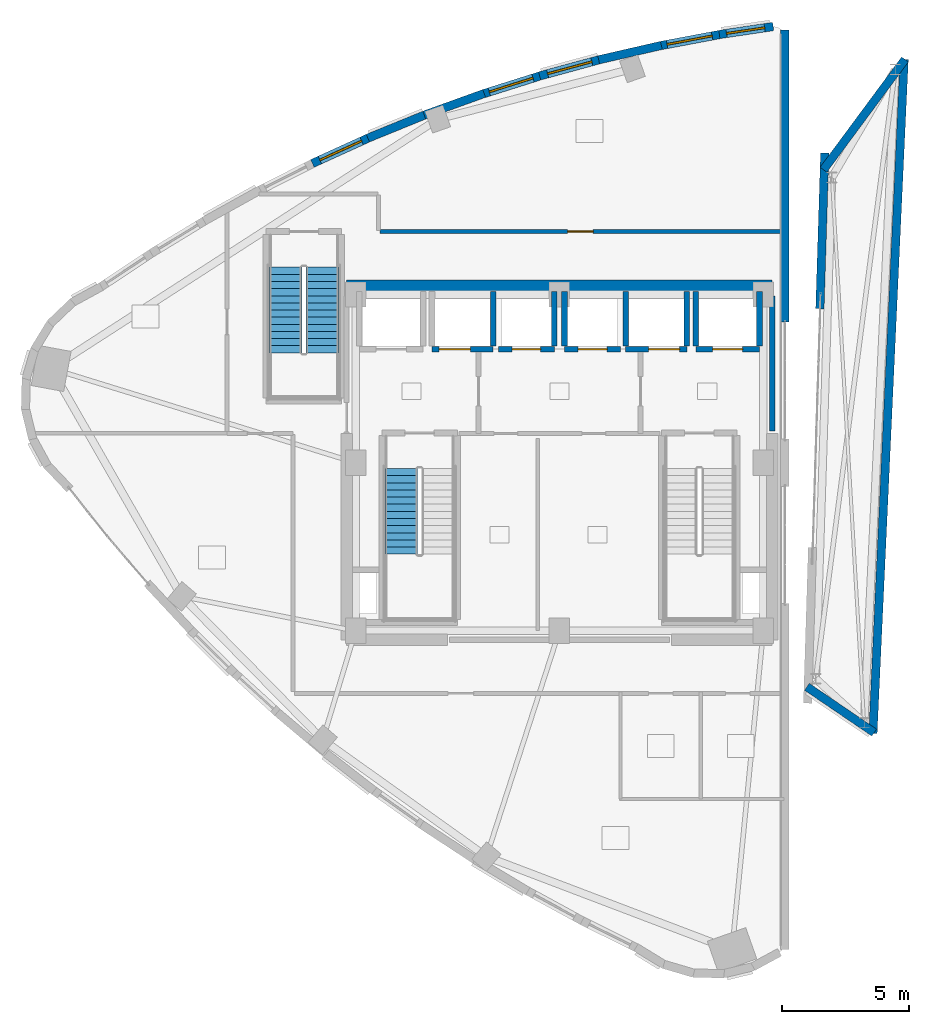
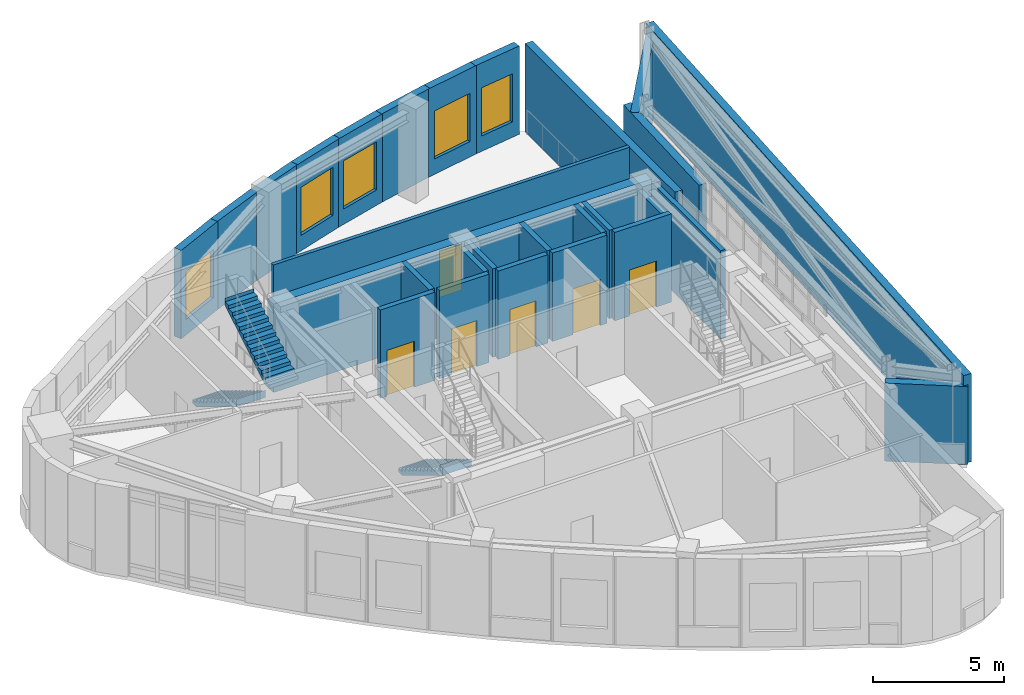
# One storey, part 15 of 19: 28 walls, 6 doors, 5 windows, 3 stair flights, 11 openings, 2 elements without a shape of their own.
"""IFC4 building model written with IfcOpenShell, lengths in metres."""

from ifc_helpers import new_model, si_unit, direction, frame, frame_2d, origin, place, context, subcontext, project, spatial, polyline, rectangle, outline, extrude, material, layer, layer_set, type_object, element, fill, aggregate, save


model = new_model("IFC4")

# Units and contexts
model_context = context("Model", 3, precision=1e-05, world=origin(), true_north=direction((0.0, 1.0)))
body_context = subcontext(model_context, "Body", "Model", "MODEL_VIEW")
ifc_project = project(units=[si_unit("LENGTHUNIT", "METRE"), si_unit("AREAUNIT", "SQUARE_METRE"), si_unit("VOLUMEUNIT", "CUBIC_METRE"), si_unit("PLANEANGLEUNIT", "RADIAN"), si_unit("MASSUNIT", "GRAM", prefix="KILO")], contexts=[model_context])

# Site, building, storey
site_placement = place(None, origin())
site = spatial("IfcSite", under=ifc_project, at=site_placement, CompositionType="ELEMENT")
building_placement = place(site_placement, origin())
building = spatial("IfcBuilding", under=site, at=building_placement, Name="Ndelora Gate Hotel", CompositionType="ELEMENT")
storey_placement = place(building_placement, frame((0.0, 0.0, 294.800048828125)))
storey = spatial("IfcBuildingStorey", under=building, at=storey_placement, Name="L73", CompositionType="ELEMENT", Elevation=294.800048828125)

# Walls
ifc_material_1 = material(Name="Clay Brick Masonry", Category="masonry")
ifc_layer_1 = layer(ifc_material_1, 0.330078125)
ifc_layer_set_1 = layer_set([ifc_layer_1], Name="Clay Brick Masonry")
wall_type_1 = type_object("IfcWallType", Name="WL-BRICK-330", PredefinedType="SOLIDWALL", material=ifc_layer_set_1)
wall_1_placement = place(storey_placement, frame((8.85009765625, 16.986572265625, 0.0), z_axis=(0.0, 0.0, 1.0), x_axis=(0.0, -1.0, 0.0)))
element("IfcWall", 1, at=wall_1_placement, inside=storey, type_object=wall_type_1, Name="L73 West Crown Canyon Brick Pier 3", PredefinedType="SOLIDWALL", context=body_context, shape_type="SweptSolid", body=[
    extrude(rectangle(XDim=11.466552734375, YDim=0.330078125, at=frame_2d((5.7333984375, 0.0))), origin(), (0.0, 0.0, 1.0), 4.1298828125),
])
wall_2_placement = place(storey_placement, frame((10.220703125, 6.041015625, 0.0), z_axis=(0.0, 0.0, 1.0), x_axis=(0.031147484759, 0.999514799387, 0.0)))
element("IfcWall", 2, at=wall_2_placement, inside=storey, type_object=wall_type_1, Name="L73 East Crown Canyon Brick Pier 2", PredefinedType="SOLIDWALL", context=body_context, shape_type="SweptSolid", body=[
    extrude(rectangle(XDim=6.11376953125, YDim=0.330078125, at=frame_2d((3.056884765625, 0.0))), origin(), (0.0, 0.0, 1.0), 3.64990234375),
])

# Wall, opening, window
wall_3_placement = place(storey_placement, frame((6.27734375, 16.80419921875, 0.0), z_axis=(0.0, 0.0, 1.0), x_axis=(0.989170885367, 0.146768387409, 0.0)))
wall_3 = element("IfcWall", 3, at=wall_3_placement, inside=storey, type_object=wall_type_1, Name="L73 Tower Brick Pier-and-Spandrel Wall WPK-52", PredefinedType="SOLIDWALL", context=body_context, shape_type="SweptSolid", body=[
    extrude(rectangle(XDim=2.13427734375, YDim=0.330078125, at=frame_2d((1.067138671875, 0.0))), origin(), (0.0, 0.0, 1.0), 4.1298828125),
])
opening_1_placement = place(wall_3_placement, frame((0.281982421875, 0.0, 0.719970703125)))
opening_1 = element("IfcOpeningElement", 4, at=opening_1_placement, cuts=wall_3, Name="Opening W06", PredefinedType="OPENING", context=body_context, shape_type="SweptSolid", body=[
    extrude(rectangle(XDim=1.510009765625, YDim=2.25, at=frame_2d((0.7548828125, 1.125))), frame((0.0, 0.175048828125, 0.0), z_axis=(0.0, -1.0, 0.0), x_axis=(1.0, 0.0, 0.0)), (0.0, 0.0, 1.0), 0.35009765625),
])
ifc_material_2 = material(Name="Insulated Low-E Double Glazing in Bronze Aluminium Frame", Category="aluminium")
window_type = type_object("IfcWindowType", Name="WN-OBS-1800", PartitioningType="SINGLE_PANEL", PredefinedType="WINDOW", material=ifc_material_2)
window_1_placement = place(opening_1_placement, origin())
window_1 = element("IfcWindow", 5, at=window_1_placement, inside=storey, type_object=window_type, Name="L73 Deep-Set Brick-Pier Window W06", OverallHeight=2.25, OverallWidth=1.510009765625, PartitioningType="SINGLE_PANEL", PredefinedType="WINDOW", context=body_context, shape_type="SweptSolid", body=[
    extrude(rectangle(XDim=1.510009765625, YDim=2.25, at=frame_2d((0.7548828125, 1.125))), frame((0.0, 0.030029296875, 0.0), z_axis=(0.0, -1.0, 0.0), x_axis=(1.0, 0.0, 0.0)), (0.0, 0.0, 1.0), 0.06005859375),
])
fill(opening_1, window_1)

wall_4_placement = place(storey_placement, frame((3.890869140625, 16.352294921875, 0.0), z_axis=(0.0, 0.0, 1.0), x_axis=(0.982698658406, 0.185211626978, 0.0)))
wall_4 = element("IfcWall", 6, at=wall_4_placement, inside=storey, type_object=wall_type_1, Name="L73 Tower Brick Pier-and-Spandrel Wall WPK-53", PredefinedType="SOLIDWALL", context=body_context, shape_type="SweptSolid", body=[
    extrude(rectangle(XDim=2.538818359375, YDim=0.330078125, at=frame_2d((1.26953125, 0.0))), origin(), (0.0, 0.0, 1.0), 4.1298828125),
])
opening_2_placement = place(wall_4_placement, frame((0.33935546875, 0.0, 0.719970703125)))
opening_2 = element("IfcOpeningElement", 7, at=opening_2_placement, cuts=wall_4, Name="Opening W06", PredefinedType="OPENING", context=body_context, shape_type="SweptSolid", body=[
    extrude(rectangle(XDim=1.800048828125, YDim=2.25, at=frame_2d((0.89990234375, 1.125))), frame((0.0, 0.175048828125, 0.0), z_axis=(0.0, -1.0, 0.0), x_axis=(1.0, 0.0, 0.0)), (0.0, 0.0, 1.0), 0.35009765625),
])
window_2_placement = place(opening_2_placement, origin())
window_2 = element("IfcWindow", 8, at=window_2_placement, inside=storey, type_object=window_type, Name="L73 Deep-Set Brick-Pier Window W06", OverallHeight=2.25, OverallWidth=1.800048828125, PartitioningType="SINGLE_PANEL", PredefinedType="WINDOW", context=body_context, shape_type="SweptSolid", body=[
    extrude(rectangle(XDim=1.800048828125, YDim=2.25, at=frame_2d((0.89990234375, 1.125))), frame((0.0, 0.030029296875, 0.0), z_axis=(0.0, -1.0, 0.0), x_axis=(1.0, 0.0, 0.0)), (0.0, 0.0, 1.0), 0.06005859375),
])
fill(opening_2, window_2)

# Wall
wall_5_placement = place(storey_placement, frame((1.539306640625, 15.810302734375, 0.0), z_axis=(0.0, 0.0, 1.0), x_axis=(0.974635230038, 0.223799393138, 0.0)))
element("IfcWall", 9, at=wall_5_placement, inside=storey, type_object=wall_type_1, Name="L73 Tower Brick Pier-and-Spandrel Wall WPK-54", PredefinedType="SOLIDWALL", context=body_context, shape_type="SweptSolid", body=[
    extrude(rectangle(XDim=2.523193359375, YDim=0.330078125, at=frame_2d((1.26171875, 0.0))), origin(), (0.0, 0.0, 1.0), 4.1298828125),
])

# Wall, opening, window
wall_6_placement = place(storey_placement, frame((-0.777099609375, 15.177734375, 0.0), z_axis=(0.0, 0.0, 1.0), x_axis=(0.964907263861, 0.262590883596, 0.0)))
wall_6 = element("IfcWall", 10, at=wall_6_placement, inside=storey, type_object=wall_type_1, Name="L73 Tower Brick Pier-and-Spandrel Wall WPK-55", PredefinedType="SOLIDWALL", context=body_context, shape_type="SweptSolid", body=[
    extrude(rectangle(XDim=2.51123046875, YDim=0.330078125, at=frame_2d((1.255615234375, 0.0))), origin(), (0.0, 0.0, 1.0), 4.1298828125),
])
opening_3_placement = place(wall_6_placement, frame((0.32568359375, 0.0, 0.719970703125)))
opening_3 = element("IfcOpeningElement", 11, at=opening_3_placement, cuts=wall_6, Name="Opening W06", PredefinedType="OPENING", context=body_context, shape_type="SweptSolid", body=[
    extrude(rectangle(XDim=1.800048828125, YDim=2.25, at=frame_2d((0.89990234375, 1.125))), frame((0.0, 0.175048828125, 0.0), z_axis=(0.0, -1.0, 0.0), x_axis=(1.0, 0.0, 0.0)), (0.0, 0.0, 1.0), 0.35009765625),
])
window_3_placement = place(opening_3_placement, origin())
window_3 = element("IfcWindow", 12, at=window_3_placement, inside=storey, type_object=window_type, Name="L73 Deep-Set Brick-Pier Window W06", OverallHeight=2.25, OverallWidth=1.800048828125, PartitioningType="SINGLE_PANEL", PredefinedType="WINDOW", context=body_context, shape_type="SweptSolid", body=[
    extrude(rectangle(XDim=1.800048828125, YDim=2.25, at=frame_2d((0.89990234375, 1.125))), frame((0.0, 0.030029296875, 0.0), z_axis=(0.0, -1.0, 0.0), x_axis=(1.0, 0.0, 0.0)), (0.0, 0.0, 1.0), 0.06005859375),
])
fill(opening_3, window_3)

wall_7_placement = place(storey_placement, frame((-3.05859375, 14.454833984375, 0.0), z_axis=(0.0, 0.0, 1.0), x_axis=(0.953576769374, 0.301150037209, 0.0)))
wall_7 = element("IfcWall", 13, at=wall_7_placement, inside=storey, type_object=wall_type_1, Name="L73 Tower Brick Pier-and-Spandrel Wall WPK-56", PredefinedType="SOLIDWALL", context=body_context, shape_type="SweptSolid", body=[
    extrude(rectangle(XDim=2.50341796875, YDim=0.330078125, at=frame_2d((1.251708984375, 0.0))), origin(), (0.0, 0.0, 1.0), 4.1298828125),
])
opening_4_placement = place(wall_7_placement, frame((0.321533203125, 0.0, 0.719970703125)))
opening_4 = element("IfcOpeningElement", 14, at=opening_4_placement, cuts=wall_7, Name="Opening W06", PredefinedType="OPENING", context=body_context, shape_type="SweptSolid", body=[
    extrude(rectangle(XDim=1.800048828125, YDim=2.25, at=frame_2d((0.89990234375, 1.125))), frame((0.0, 0.175048828125, 0.0), z_axis=(0.0, -1.0, 0.0), x_axis=(1.0, 0.0, 0.0)), (0.0, 0.0, 1.0), 0.35009765625),
])
window_4_placement = place(opening_4_placement, origin())
window_4 = element("IfcWindow", 15, at=window_4_placement, inside=storey, type_object=window_type, Name="L73 Deep-Set Brick-Pier Window W06", OverallHeight=2.25, OverallWidth=1.800048828125, PartitioningType="SINGLE_PANEL", PredefinedType="WINDOW", context=body_context, shape_type="SweptSolid", body=[
    extrude(rectangle(XDim=1.800048828125, YDim=2.25, at=frame_2d((0.89990234375, 1.125))), frame((0.0, 0.030029296875, 0.0), z_axis=(0.0, -1.0, 0.0), x_axis=(1.0, 0.0, 0.0)), (0.0, 0.0, 1.0), 0.06005859375),
])
fill(opening_4, window_4)

# Walls
for number, where, z_axis, x_axis, name in (
    (16, (-5.30517578125, 13.6416015625, 0.0), (0.0, 0.0, 1.0), (0.940589433812, 0.33954604548, 0.0), "L73 Tower Brick Pier-and-Spandrel Wall WPK-57"),
    (17, (-7.51708984375, 12.73779296875, 0.0), (0.0, 0.0, 1.0), (0.926065809797, 0.377362048866, 0.0), "L73 Tower Brick Pier-and-Spandrel Wall WPK-58"),
):
    element("IfcWall", number, at=place(storey_placement, frame(where, z_axis=z_axis, x_axis=x_axis)), inside=storey, type_object=wall_type_1, Name=name, PredefinedType="SOLIDWALL", context=body_context, shape_type="SweptSolid", body=[
        extrude(rectangle(XDim=2.499267578125, YDim=0.330078125, at=frame_2d((1.24951171875, 0.0))), origin(), (0.0, 0.0, 1.0), 4.1298828125),
    ])

# Wall, opening, window
wall_8_placement = place(storey_placement, frame((-9.694091796875, 11.743896484375, 0.0), z_axis=(0.0, 0.0, 1.0), x_axis=(0.910048904543, 0.414500894257, 0.0)))
wall_8 = element("IfcWall", 18, at=wall_8_placement, inside=storey, type_object=wall_type_1, Name="L73 Tower Brick Pier-and-Spandrel Wall WPK-59", PredefinedType="SOLIDWALL", context=body_context, shape_type="SweptSolid", body=[
    extrude(rectangle(XDim=2.503173828125, YDim=0.330078125, at=frame_2d((1.25146484375, 0.0))), origin(), (0.0, 0.0, 1.0), 4.1298828125),
])
opening_5_placement = place(wall_8_placement, frame((0.321533203125, 0.0, 0.719970703125)))
opening_5 = element("IfcOpeningElement", 19, at=opening_5_placement, cuts=wall_8, Name="Opening W06", PredefinedType="OPENING", context=body_context, shape_type="SweptSolid", body=[
    extrude(rectangle(XDim=1.800048828125, YDim=2.25, at=frame_2d((0.89990234375, 1.125))), frame((0.0, 0.175048828125, 0.0), z_axis=(0.0, -1.0, 0.0), x_axis=(1.0, 0.0, 0.0)), (0.0, 0.0, 1.0), 0.35009765625),
])
window_5_placement = place(opening_5_placement, origin())
window_5 = element("IfcWindow", 20, at=window_5_placement, inside=storey, type_object=window_type, Name="L73 Deep-Set Brick-Pier Window W06", OverallHeight=2.25, OverallWidth=1.800048828125, PartitioningType="SINGLE_PANEL", PredefinedType="WINDOW", context=body_context, shape_type="SweptSolid", body=[
    extrude(rectangle(XDim=1.800048828125, YDim=2.25, at=frame_2d((0.89990234375, 1.125))), frame((0.0, 0.030029296875, 0.0), z_axis=(0.0, -1.0, 0.0), x_axis=(1.0, 0.0, 0.0)), (0.0, 0.0, 1.0), 0.06005859375),
])
fill(opening_5, window_5)

# Walls
wall_9_placement = place(storey_placement, frame((12.352294921875, -10.593017578125, 0.0), z_axis=(0.0, 0.0, 1.0), x_axis=(-0.82687387766, 0.562387402459, 0.0)))
element("IfcWall", 21, at=wall_9_placement, inside=storey, type_object=wall_type_1, Name="L73 Tower Brick Pier-and-Spandrel Wall EPK-1", PredefinedType="SOLIDWALL", context=body_context, shape_type="SweptSolid", body=[
    extrude(rectangle(XDim=3.19287109375, YDim=0.330078125, at=frame_2d((1.596435546875, 0.0))), origin(), (0.0, 0.0, 1.0), 3.64990234375),
])
wall_10_placement = place(storey_placement, frame((13.529541015625, 15.833251953125, 0.0), z_axis=(0.0, 0.0, 1.0), x_axis=(-0.046267121777, -0.998929103311, 0.0)))
element("IfcWall", 22, at=wall_10_placement, inside=storey, type_object=wall_type_1, Name="L73 Tower Brick Pier-and-Spandrel Wall EPK-2", PredefinedType="SOLIDWALL", context=body_context, shape_type="SweptSolid", body=[
    extrude(rectangle(XDim=26.478759765625, YDim=0.330078125, at=frame_2d((13.2392578125, 0.0))), origin(), (0.0, 0.0, 1.0), 4.1298828125),
])
wall_11_placement = place(storey_placement, frame((10.359375, 11.49658203125, 0.0), z_axis=(0.0, 0.0, 1.0), x_axis=(0.594753293949, 0.803908277938, 0.0)))
element("IfcWall", 23, at=wall_11_placement, inside=storey, type_object=wall_type_1, Name="L73 Tower Brick Pier-and-Spandrel Wall EPK-3", PredefinedType="SOLIDWALL", context=body_context, shape_type="SweptSolid", body=[
    extrude(rectangle(XDim=5.381103515625, YDim=0.330078125, at=frame_2d((2.6904296875, 0.0))), origin(), (0.0, 0.0, 1.0), 3.64990234375),
])
ifc_material_3 = material(Name="Concrete C50/60", Category="concrete")
ifc_layer_2 = layer(ifc_material_3, 0.449951171875)
ifc_layer_set_2 = layer_set([ifc_layer_2], Name="Concrete C50/60")
wall_type_2 = type_object("IfcWallType", Name="WL-CORE-450", PredefinedType="SHEAR", material=ifc_layer_set_2)
wall_12_placement = place(storey_placement, frame((-8.35009765625, 6.949951171875, 0.0), z_axis=(0.0, 0.0, 1.0), x_axis=(1.0, 0.0, 0.0)))
element("IfcWall", 24, at=wall_12_placement, inside=storey, type_object=wall_type_2, Name="L73 Core Shear Wall N", PredefinedType="SHEAR", context=body_context, shape_type="SweptSolid", body=[
    extrude(rectangle(XDim=16.7001953125, YDim=0.449951171875, at=frame_2d((8.35009765625, 0.0))), origin(), (0.0, 0.0, 1.0), 4.1298828125),
])
ifc_material_4 = material(Name="Concrete C40/50", Category="concrete")
ifc_layer_3 = layer(ifc_material_4, 0.199951171875)
ifc_layer_set_3 = layer_set([ifc_layer_3], Name="Concrete C40/50")
wall_type_3 = type_object("IfcWallType", Name="WL-FIRE-200", PredefinedType="PARTITIONING", material=ifc_layer_set_3)
wall_13_placement = place(storey_placement, frame((8.35009765625, 1.25, 0.0), z_axis=(0.0, 0.0, 1.0), x_axis=(0.0, 1.0, 0.0)))
element("IfcWall", 25, at=wall_13_placement, inside=storey, type_object=wall_type_3, Name="L73 Interior Wall IW-2", PredefinedType="PARTITIONING", context=body_context, shape_type="SweptSolid", body=[
    extrude(rectangle(XDim=5.300048828125, YDim=0.199951171875, at=frame_2d((2.64990234375, 0.0))), origin(), (0.0, 0.0, 1.0), 4.1298828125),
])

# Wall, opening, door
ifc_material_5 = material(Name="Fire-Rated Gypsum Stud Partition", Category="gypsum")
ifc_layer_4 = layer(ifc_material_5, 0.159912109375)
ifc_layer_set_4 = layer_set([ifc_layer_4], Name="Fire-Rated Gypsum Stud Partition")
wall_type_4 = type_object("IfcWallType", Name="WL-PART-160", PredefinedType="PARTITIONING", material=ifc_layer_set_4)
wall_14_placement = place(storey_placement, frame((8.699951171875, 9.070068359375, 0.0), z_axis=(0.0, 0.0, 1.0), x_axis=(-1.0, 0.0, 0.0)))
wall_14 = element("IfcWall", 26, at=wall_14_placement, inside=storey, type_object=wall_type_4, Name="L73 Interior Wall IW-4", PredefinedType="PARTITIONING", context=body_context, shape_type="SweptSolid", body=[
    extrude(rectangle(XDim=15.75, YDim=0.159912109375, at=frame_2d((7.875, 0.0))), origin(), (0.0, 0.0, 1.0), 4.1298828125),
])
opening_6_placement = place(wall_14_placement, frame((7.375, 0.0, 0.0)))
opening_6 = element("IfcOpeningElement", 27, at=opening_6_placement, cuts=wall_14, Name="Opening D01", PredefinedType="OPENING", context=body_context, shape_type="SweptSolid", body=[
    extrude(rectangle(XDim=1.0, YDim=2.14990234375, at=frame_2d((0.5, 1.074951171875))), frame((0.0, 0.08984375, 0.0), z_axis=(0.0, -1.0, 0.0), x_axis=(1.0, 0.0, 0.0)), (0.0, 0.0, 1.0), 0.179931640625),
])
ifc_material_6 = material(Name="Acoustic Hardwood Guest Entrance Door", Category="wood")
door_type_1 = type_object("IfcDoorType", Name="DR-COR-1000", OperationType="SINGLE_SWING_LEFT", PredefinedType="DOOR", material=ifc_material_6)
door_1_placement = place(opening_6_placement, origin())
door_1 = element("IfcDoor", 28, at=door_1_placement, inside=storey, type_object=door_type_1, Name="L73 Sunset Champagne Cocktail Bar Door", OperationType="SINGLE_SWING_LEFT", OverallHeight=2.14990234375, OverallWidth=1.0, PredefinedType="DOOR", context=body_context, shape_type="SweptSolid", body=[
    extrude(rectangle(XDim=1.0, YDim=2.14990234375, at=frame_2d((0.5, 1.074951171875))), frame((0.0, 0.02490234375, 0.0), z_axis=(0.0, -1.0, 0.0), x_axis=(1.0, 0.0, 0.0)), (0.0, 0.0, 1.0), 0.050048828125),
])
fill(opening_6, door_1)

ifc_layer_5 = layer(ifc_material_4, 0.219970703125)
ifc_layer_set_5 = layer_set([ifc_layer_5], Name="Concrete C40/50")
wall_type_5 = type_object("IfcWallType", Name="WL-SHAFT-220", PredefinedType="PARTITIONING", material=ifc_layer_set_5)
wall_15_placement = place(storey_placement, frame((5.35009765625, 4.449951171875, 0.0), z_axis=(0.0, 0.0, 1.0), x_axis=(1.0, 0.0, 0.0)))
wall_15 = element("IfcWall", 29, at=wall_15_placement, inside=storey, type_object=wall_type_5, Name="L73 Interior Wall IW-1", PredefinedType="PARTITIONING", context=body_context, shape_type="SweptSolid", body=[
    extrude(rectangle(XDim=2.5, YDim=0.219970703125, at=frame_2d((1.25, 0.0))), origin(), (0.0, 0.0, 1.0), 4.1298828125),
])
opening_7_placement = place(wall_15_placement, frame((0.659912109375, 0.0, 0.0)))
opening_7 = element("IfcOpeningElement", 30, at=opening_7_placement, cuts=wall_15, Name="Opening LD5", PredefinedType="OPENING", context=body_context, shape_type="SweptSolid", body=[
    extrude(rectangle(XDim=1.179931640625, YDim=2.14990234375, at=frame_2d((0.58984375, 1.074951171875))), frame((0.0, 0.1201171875, 0.0), z_axis=(0.0, -1.0, 0.0), x_axis=(1.0, 0.0, 0.0)), (0.0, 0.0, 1.0), 0.239990234375),
])
ifc_material_7 = material(Name="Firefighting Lift Stainless Sliding Landing Door", Category="metal")
door_type_2 = type_object("IfcDoorType", Name="DR-LD5", OperationType="DOUBLE_DOOR_SLIDING", PredefinedType="DOOR", material=ifc_material_7)
door_2_placement = place(opening_7_placement, origin())
door_2 = element("IfcDoor", 31, at=door_2_placement, inside=storey, type_object=door_type_2, Name="L73 Lift Landing Sliding Door FFL2", OperationType="DOUBLE_DOOR_SLIDING", OverallHeight=2.14990234375, OverallWidth=1.179931640625, PredefinedType="DOOR", context=body_context, shape_type="SweptSolid", body=[
    extrude(rectangle(XDim=1.179931640625, YDim=2.14990234375, at=frame_2d((0.58984375, 1.074951171875))), frame((0.0, 0.02490234375, 0.0), z_axis=(0.0, -1.0, 0.0), x_axis=(1.0, 0.0, 0.0)), (0.0, 0.0, 1.0), 0.050048828125),
])
fill(opening_7, door_2)

# Walls
wall_16_placement = place(storey_placement, frame((5.35009765625, 4.570068359375, 0.0), z_axis=(0.0, 0.0, 1.0), x_axis=(0.0, 1.0, 0.0)))
element("IfcWall", 32, at=wall_16_placement, inside=storey, type_object=wall_type_5, Name="L73 Interior Wall IW-1", PredefinedType="PARTITIONING", context=body_context, shape_type="SweptSolid", body=[
    extrude(rectangle(XDim=2.155029296875, YDim=0.219970703125, at=frame_2d((1.07763671875, 0.0))), origin(), (0.0, 0.0, 1.0), 4.1298828125),
])
wall_17_placement = place(storey_placement, frame((7.85009765625, 4.570068359375, 0.0), z_axis=(0.0, 0.0, 1.0), x_axis=(0.0, 1.0, 0.0)))
element("IfcWall", 33, at=wall_17_placement, inside=storey, type_object=wall_type_5, Name="L73 Interior Wall IW-1", PredefinedType="PARTITIONING", context=body_context, shape_type="SweptSolid", body=[
    extrude(rectangle(XDim=2.155029296875, YDim=0.219970703125, at=frame_2d((1.07763671875, 0.0))), origin(), (0.0, 0.0, 1.0), 3.81005859375),
])

# Wall, opening, door
wall_18_placement = place(storey_placement, frame((-5.0, 4.449951171875, 0.0), z_axis=(0.0, 0.0, 1.0), x_axis=(1.0, 0.0, 0.0)))
wall_18 = element("IfcWall", 34, at=wall_18_placement, inside=storey, type_object=wall_type_5, Name="L73 Interior Wall IW-1", PredefinedType="PARTITIONING", context=body_context, shape_type="SweptSolid", body=[
    extrude(rectangle(XDim=2.39990234375, YDim=0.219970703125, at=frame_2d((1.199951171875, 0.0))), origin(), (0.0, 0.0, 1.0), 4.1298828125),
])
opening_8_placement = place(wall_18_placement, frame((0.280029296875, 0.0, 0.0)))
opening_8 = element("IfcOpeningElement", 35, at=opening_8_placement, cuts=wall_18, Name="Opening LD6", PredefinedType="OPENING", context=body_context, shape_type="SweptSolid", body=[
    extrude(rectangle(XDim=1.219970703125, YDim=2.14990234375, at=frame_2d((0.60986328125, 1.074951171875))), frame((0.0, 0.1201171875, 0.0), z_axis=(0.0, -1.0, 0.0), x_axis=(1.0, 0.0, 0.0)), (0.0, 0.0, 1.0), 0.239990234375),
])
ifc_material_8 = material(Name="Heavy-Duty Service Lift Sliding Landing Door", Category="wood")
door_type_3 = type_object("IfcDoorType", Name="DR-LD6", OperationType="DOUBLE_DOOR_SLIDING", PredefinedType="DOOR", material=ifc_material_8)
door_3_placement = place(opening_8_placement, origin())
door_3 = element("IfcDoor", 36, at=door_3_placement, inside=storey, type_object=door_type_3, Name="L73 Lift Landing Sliding Door SVL1", OperationType="DOUBLE_DOOR_SLIDING", OverallHeight=2.14990234375, OverallWidth=1.219970703125, PredefinedType="DOOR", context=body_context, shape_type="SweptSolid", body=[
    extrude(rectangle(XDim=1.219970703125, YDim=2.14990234375, at=frame_2d((0.60986328125, 1.074951171875))), frame((0.0, 0.02490234375, 0.0), z_axis=(0.0, -1.0, 0.0), x_axis=(1.0, 0.0, 0.0)), (0.0, 0.0, 1.0), 0.050048828125),
])
fill(opening_8, door_3)

# Wall
wall_19_placement = place(storey_placement, frame((-2.60009765625, 4.570068359375, 0.0), z_axis=(0.0, 0.0, 1.0), x_axis=(0.0, 1.0, 0.0)))
element("IfcWall", 37, at=wall_19_placement, inside=storey, type_object=wall_type_5, Name="L73 Interior Wall IW-1", PredefinedType="PARTITIONING", context=body_context, shape_type="SweptSolid", body=[
    extrude(rectangle(XDim=2.155029296875, YDim=0.219970703125, at=frame_2d((1.07763671875, 0.0))), origin(), (0.0, 0.0, 1.0), 4.1298828125),
])

# Wall, opening, door
wall_20_placement = place(storey_placement, frame((2.60009765625, 4.449951171875, 0.0), z_axis=(0.0, 0.0, 1.0), x_axis=(1.0, 0.0, 0.0)))
wall_20 = element("IfcWall", 38, at=wall_20_placement, inside=storey, type_object=wall_type_5, Name="L73 Interior Wall IW-1", PredefinedType="PARTITIONING", context=body_context, shape_type="SweptSolid", body=[
    extrude(rectangle(XDim=2.39990234375, YDim=0.219970703125, at=frame_2d((1.199951171875, 0.0))), origin(), (0.0, 0.0, 1.0), 4.1298828125),
])
opening_9_placement = place(wall_20_placement, frame((0.89990234375, 0.0, 0.0)))
opening_9 = element("IfcOpeningElement", 39, at=opening_9_placement, cuts=wall_20, Name="Opening LD6", PredefinedType="OPENING", context=body_context, shape_type="SweptSolid", body=[
    extrude(rectangle(XDim=1.219970703125, YDim=2.14990234375, at=frame_2d((0.60986328125, 1.074951171875))), frame((0.0, 0.1201171875, 0.0), z_axis=(0.0, -1.0, 0.0), x_axis=(1.0, 0.0, 0.0)), (0.0, 0.0, 1.0), 0.239990234375),
])
door_4_placement = place(opening_9_placement, origin())
door_4 = element("IfcDoor", 40, at=door_4_placement, inside=storey, type_object=door_type_3, Name="L73 Lift Landing Sliding Door SVL2", OperationType="DOUBLE_DOOR_SLIDING", OverallHeight=2.14990234375, OverallWidth=1.219970703125, PredefinedType="DOOR", context=body_context, shape_type="SweptSolid", body=[
    extrude(rectangle(XDim=1.219970703125, YDim=2.14990234375, at=frame_2d((0.60986328125, 1.074951171875))), frame((0.0, 0.02490234375, 0.0), z_axis=(0.0, -1.0, 0.0), x_axis=(1.0, 0.0, 0.0)), (0.0, 0.0, 1.0), 0.050048828125),
])
fill(opening_9, door_4)

# Walls
for number, where, z_axis, x_axis, name in (
    (41, (2.60009765625, 4.570068359375, 0.0), (0.0, 0.0, 1.0), (0.0, 1.0, 0.0), "L73 Interior Wall IW-1"),
    (42, (5.0, 4.570068359375, 0.0), (0.0, 0.0, 1.0), (0.0, 1.0, 0.0), "L73 Interior Wall IW-1"),
):
    element("IfcWall", number, at=place(storey_placement, frame(where, z_axis=z_axis, x_axis=x_axis)), inside=storey, type_object=wall_type_5, Name=name, PredefinedType="PARTITIONING", context=body_context, shape_type="SweptSolid", body=[
        extrude(rectangle(XDim=2.155029296875, YDim=0.219970703125, at=frame_2d((1.07763671875, 0.0))), origin(), (0.0, 0.0, 1.0), 4.1298828125),
    ])

# Wall, opening, door
wall_21_placement = place(storey_placement, frame((-2.39990234375, 4.449951171875, 0.0), z_axis=(0.0, 0.0, 1.0), x_axis=(1.0, 0.0, 0.0)))
wall_21 = element("IfcWall", 43, at=wall_21_placement, inside=storey, type_object=wall_type_5, Name="L73 Interior Wall IW-1", PredefinedType="PARTITIONING", context=body_context, shape_type="SweptSolid", body=[
    extrude(rectangle(XDim=2.199951171875, YDim=0.219970703125, at=frame_2d((1.10009765625, 0.0))), origin(), (0.0, 0.0, 1.0), 4.1298828125),
])
opening_10_placement = place(wall_21_placement, frame((0.5400390625, 0.0, 0.0)))
opening_10 = element("IfcOpeningElement", 44, at=opening_10_placement, cuts=wall_21, Name="Opening LD3", PredefinedType="OPENING", context=body_context, shape_type="SweptSolid", body=[
    extrude(rectangle(XDim=1.1201171875, YDim=2.14990234375, at=frame_2d((0.56005859375, 1.074951171875))), frame((0.0, 0.1201171875, 0.0), z_axis=(0.0, -1.0, 0.0), x_axis=(1.0, 0.0, 0.0)), (0.0, 0.0, 1.0), 0.239990234375),
])
ifc_material_9 = material(Name="Brushed Bronze Stainless Lift Landing Door", Category="metal")
door_type_4 = type_object("IfcDoorType", Name="DR-LD3", OperationType="DOUBLE_DOOR_SLIDING", PredefinedType="DOOR", material=ifc_material_9)
door_5_placement = place(opening_10_placement, origin())
door_5 = element("IfcDoor", 45, at=door_5_placement, inside=storey, type_object=door_type_4, Name="L73 Lift Landing Sliding Door P3A", OperationType="DOUBLE_DOOR_SLIDING", OverallHeight=2.14990234375, OverallWidth=1.1201171875, PredefinedType="DOOR", context=body_context, shape_type="SweptSolid", body=[
    extrude(rectangle(XDim=1.1201171875, YDim=2.14990234375, at=frame_2d((0.56005859375, 1.074951171875))), frame((0.0, 0.02490234375, 0.0), z_axis=(0.0, -1.0, 0.0), x_axis=(1.0, 0.0, 0.0)), (0.0, 0.0, 1.0), 0.050048828125),
])
fill(opening_10, door_5)

# Wall
wall_22_placement = place(storey_placement, frame((-0.199951171875, 4.570068359375, 0.0), z_axis=(0.0, 0.0, 1.0), x_axis=(0.0, 1.0, 0.0)))
element("IfcWall", 46, at=wall_22_placement, inside=storey, type_object=wall_type_5, Name="L73 Interior Wall IW-1", PredefinedType="PARTITIONING", context=body_context, shape_type="SweptSolid", body=[
    extrude(rectangle(XDim=2.155029296875, YDim=0.219970703125, at=frame_2d((1.07763671875, 0.0))), origin(), (0.0, 0.0, 1.0), 4.1298828125),
])

# Wall, opening, door
wall_23_placement = place(storey_placement, frame((0.199951171875, 4.449951171875, 0.0), z_axis=(0.0, 0.0, 1.0), x_axis=(1.0, 0.0, 0.0)))
wall_23 = element("IfcWall", 47, at=wall_23_placement, inside=storey, type_object=wall_type_5, Name="L73 Interior Wall IW-1", PredefinedType="PARTITIONING", context=body_context, shape_type="SweptSolid", body=[
    extrude(rectangle(XDim=2.199951171875, YDim=0.219970703125, at=frame_2d((1.10009765625, 0.0))), origin(), (0.0, 0.0, 1.0), 4.1298828125),
])
opening_11_placement = place(wall_23_placement, frame((0.530029296875, 0.0, 0.0)))
opening_11 = element("IfcOpeningElement", 48, at=opening_11_placement, cuts=wall_23, Name="Opening LD4", PredefinedType="OPENING", context=body_context, shape_type="SweptSolid", body=[
    extrude(rectangle(XDim=1.139892578125, YDim=2.14990234375, at=frame_2d((0.56982421875, 1.074951171875))), frame((0.0, 0.1201171875, 0.0), z_axis=(0.0, -1.0, 0.0), x_axis=(1.0, 0.0, 0.0)), (0.0, 0.0, 1.0), 0.239990234375),
])
door_type_5 = type_object("IfcDoorType", Name="DR-LD4", OperationType="DOUBLE_DOOR_SLIDING", PredefinedType="DOOR", material=ifc_material_9)
door_6_placement = place(opening_11_placement, origin())
door_6 = element("IfcDoor", 49, at=door_6_placement, inside=storey, type_object=door_type_5, Name="L73 Lift Landing Sliding Door EX1", OperationType="DOUBLE_DOOR_SLIDING", OverallHeight=2.14990234375, OverallWidth=1.139892578125, PredefinedType="DOOR", context=body_context, shape_type="SweptSolid", body=[
    extrude(rectangle(XDim=1.139892578125, YDim=2.14990234375, at=frame_2d((0.56982421875, 1.074951171875))), frame((0.0, 0.02490234375, 0.0), z_axis=(0.0, -1.0, 0.0), x_axis=(1.0, 0.0, 0.0)), (0.0, 0.0, 1.0), 0.050048828125),
])
fill(opening_11, door_6)

# Wall
wall_24_placement = place(storey_placement, frame((0.199951171875, 4.570068359375, 0.0), z_axis=(0.0, 0.0, 1.0), x_axis=(0.0, 1.0, 0.0)))
element("IfcWall", 50, at=wall_24_placement, inside=storey, type_object=wall_type_5, Name="L73 Interior Wall IW-1", PredefinedType="PARTITIONING", context=body_context, shape_type="SweptSolid", body=[
    extrude(rectangle(XDim=2.155029296875, YDim=0.219970703125, at=frame_2d((1.07763671875, 0.0))), origin(), (0.0, 0.0, 1.0), 4.1298828125),
])

# Stair, stair flight
ifc_material_10 = material(Name="Precast concrete C40/50", Category="concrete")
stair_type = type_object("IfcStairType", Name="STR-DOG-CORE", PredefinedType="HALF_TURN_STAIR", material=ifc_material_10)
stair_1_placement = place(storey_placement, origin())
stair_1 = element("IfcStair", 51, at=stair_1_placement, inside=storey, type_object=stair_type, Name="L73 Protected Core Exit Stair ST4", PredefinedType="HALF_TURN_STAIR")
stair_flight_type = type_object("IfcStairFlightType", Name="STF-PRECAST", PredefinedType="STRAIGHT", material=ifc_material_10)
stair_flight_1_placement = place(storey_placement, frame((-6.2099609375, -0.22998046875, 0.0), z_axis=(0.0, 0.0, 1.0), x_axis=(0.0, -1.0, 0.0)))
stair_flight_1 = element("IfcStairFlight", 52, at=stair_flight_1_placement, type_object=stair_flight_type, Name="ST4 flight 1", NumberOfRisers=13, NumberOfTreads=12, PredefinedType="STRAIGHT", RiserHeight=0.169230769, TreadLength=0.28, context=body_context, shape_type="SweptSolid", body=[
    extrude(outline(polyline([(-0.00048828125, 0.0), (-0.00048828125, 0.169189453125), (0.0, 0.169189453125), (0.280029296875, 0.169189453125), (0.280029296875, 0.33837890625), (0.56005859375, 0.33837890625), (0.56005859375, 0.5078125), (0.840087890625, 0.5078125), (0.840087890625, 0.677001953125), (1.1201171875, 0.677001953125), (1.1201171875, 0.84619140625), (1.39990234375, 0.84619140625), (1.39990234375, 1.015380859375), (1.679931640625, 1.015380859375), (1.679931640625, 1.1845703125), (1.9599609375, 1.1845703125), (1.9599609375, 1.353759765625), (2.239990234375, 1.353759765625), (2.239990234375, 1.523193359375), (2.52001953125, 1.523193359375), (2.52001953125, 1.6923828125), (2.800048828125, 1.6923828125), (2.800048828125, 1.861572265625), (3.080078125, 1.861572265625), (3.080078125, 2.03076171875), (3.360107421875, 2.03076171875), (3.360107421875, 2.199951171875), (3.360595703125, 2.199951171875), (3.360595703125, 2.02001953125), (3.360107421875, 1.855712890625), (0.289794921875, 0.0), (-0.00048828125, 0.0)])), frame((0.0, 0.64013671875, 0.0), z_axis=(0.0, -1.0, 0.0), x_axis=(1.0, 0.0, 0.0)), (0.0, 0.0, 1.0), 1.280029296875),
])
aggregate(stair_1, [stair_flight_1])

# Stair, stair flights
stair_2_placement = place(storey_placement, origin())
stair_2 = element("IfcStair", 53, at=stair_2_placement, inside=storey, type_object=stair_type, Name="L73 Crown Observation Exit Stair ST6", PredefinedType="HALF_TURN_STAIR")
stair_flight_2_placement = place(storey_placement, frame((-10.75, 7.669921875, 0.0), z_axis=(0.0, 0.0, 1.0), x_axis=(0.0, -1.0, 0.0)))
stair_flight_2 = element("IfcStairFlight", 54, at=stair_flight_2_placement, type_object=stair_flight_type, Name="ST6 flight 1", NumberOfRisers=13, NumberOfTreads=12, PredefinedType="STRAIGHT", RiserHeight=0.169230769, TreadLength=0.28, context=body_context, shape_type="SweptSolid", body=[
    extrude(outline(polyline([(-0.00048828125, 0.0), (-0.00048828125, 0.169189453125), (0.0, 0.169189453125), (0.280029296875, 0.169189453125), (0.280029296875, 0.33837890625), (0.56005859375, 0.33837890625), (0.56005859375, 0.5078125), (0.840087890625, 0.5078125), (0.840087890625, 0.677001953125), (1.1201171875, 0.677001953125), (1.1201171875, 0.84619140625), (1.39990234375, 0.84619140625), (1.39990234375, 1.015380859375), (1.679931640625, 1.015380859375), (1.679931640625, 1.1845703125), (1.9599609375, 1.1845703125), (1.9599609375, 1.353759765625), (2.239990234375, 1.353759765625), (2.239990234375, 1.523193359375), (2.52001953125, 1.523193359375), (2.52001953125, 1.6923828125), (2.800048828125, 1.6923828125), (2.800048828125, 1.861572265625), (3.080078125, 1.861572265625), (3.080078125, 2.03076171875), (3.360107421875, 2.03076171875), (3.360107421875, 2.199951171875), (3.360595703125, 2.199951171875), (3.360595703125, 2.02001953125), (3.360107421875, 1.855712890625), (0.289794921875, 0.0), (-0.00048828125, 0.0)])), frame((0.0, 0.64013671875, 0.0), z_axis=(0.0, -1.0, 0.0), x_axis=(1.0, 0.0, 0.0)), (0.0, 0.0, 1.0), 1.280029296875),
])
stair_flight_3_placement = place(storey_placement, frame((-9.31005859375, 4.31005859375, 2.199951171875), z_axis=(0.0, 0.0, 1.0), x_axis=(0.0, 1.0, 0.0)))
stair_flight_3 = element("IfcStairFlight", 55, at=stair_flight_3_placement, type_object=stair_flight_type, Name="ST6 flight 2", NumberOfRisers=13, NumberOfTreads=12, PredefinedType="STRAIGHT", RiserHeight=0.169230769, TreadLength=0.28, context=body_context, shape_type="SweptSolid", body=[
    extrude(outline(polyline([(-0.00048828125, 0.0), (-0.00048828125, 0.169189453125), (0.0, 0.169189453125), (0.280029296875, 0.169189453125), (0.280029296875, 0.33837890625), (0.56005859375, 0.33837890625), (0.56005859375, 0.5078125), (0.840087890625, 0.5078125), (0.840087890625, 0.677001953125), (1.1201171875, 0.677001953125), (1.1201171875, 0.84619140625), (1.39990234375, 0.84619140625), (1.39990234375, 1.015380859375), (1.679931640625, 1.015380859375), (1.679931640625, 1.1845703125), (1.9599609375, 1.1845703125), (1.9599609375, 1.353759765625), (2.239990234375, 1.353759765625), (2.239990234375, 1.523193359375), (2.52001953125, 1.523193359375), (2.52001953125, 1.6923828125), (2.800048828125, 1.6923828125), (2.800048828125, 1.861572265625), (3.080078125, 1.861572265625), (3.080078125, 2.03076171875), (3.360107421875, 2.03076171875), (3.360107421875, 2.199951171875), (3.360595703125, 2.199951171875), (3.360595703125, 2.02001953125), (3.360107421875, 1.855712890625), (0.289794921875, 0.0), (-0.00048828125, 0.0)])), frame((0.0, 0.64013671875, 0.0), z_axis=(0.0, -1.0, 0.0), x_axis=(1.0, 0.0, 0.0)), (0.0, 0.0, 1.0), 1.280029296875),
])
aggregate(stair_2, [stair_flight_2, stair_flight_3])

save(model, "model.ifc")
